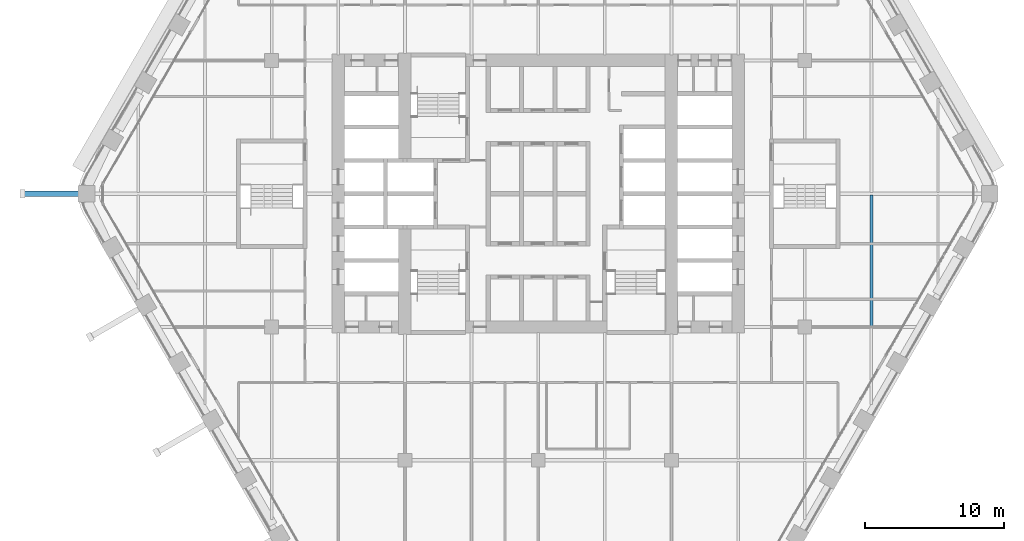
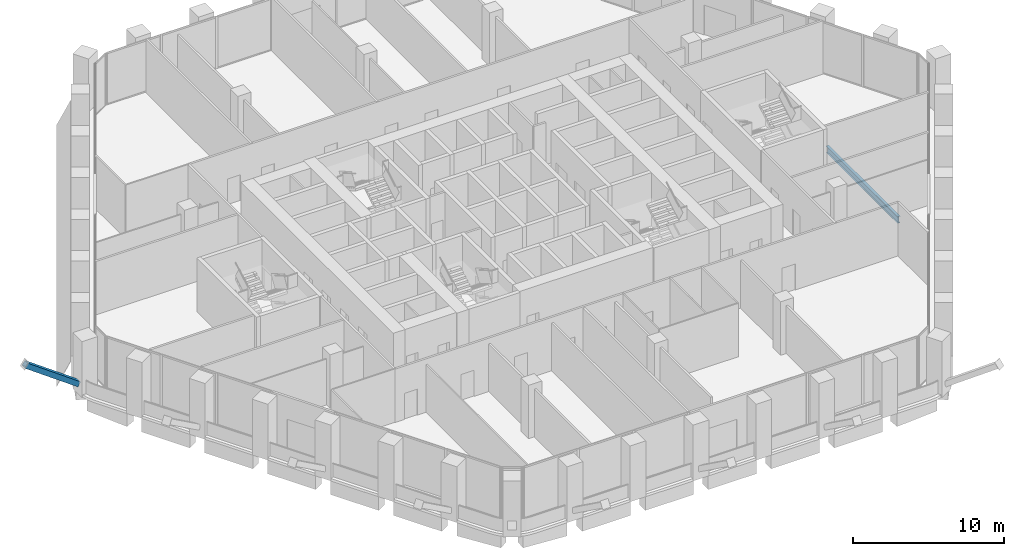
# One storey, part 6 of 26: 1 beam, 1 member.
"""IFC4 building model written with IfcOpenShell, lengths in metres."""

from ifc_helpers import new_model, si_unit, direction, frame, origin, origin_2d, place, context, subcontext, project, spatial, hollow_rectangle, i_section, extrude, material, material_profile, profile_set, type_object, element, save


model = new_model("IFC4")

# Units and contexts
model_context = context("Model", 3, precision=1e-05, world=origin(), true_north=direction((0.0, 1.0)))
body_context = subcontext(model_context, "Body", "Model", "MODEL_VIEW")
ifc_project = project(units=[si_unit("LENGTHUNIT", "METRE"), si_unit("AREAUNIT", "SQUARE_METRE"), si_unit("VOLUMEUNIT", "CUBIC_METRE"), si_unit("PLANEANGLEUNIT", "RADIAN"), si_unit("MASSUNIT", "GRAM", prefix="KILO")], contexts=[model_context])

# Site, building, storey
site_placement = place(None, origin())
site = spatial("IfcSite", under=ifc_project, at=site_placement, CompositionType="ELEMENT")
building_placement = place(site_placement, origin())
building = spatial("IfcBuilding", under=site, at=building_placement, Name="Kolab Exchange Tower", CompositionType="ELEMENT")
storey_placement = place(building_placement, frame((0.0, 0.0, 104.89990234375)))
storey = spatial("IfcBuildingStorey", under=building, at=storey_placement, Name="L20", CompositionType="ELEMENT", Elevation=104.89990234375)

# Beam
ifc_material = material(Name="Steel S355", Category="steel")
ifc_material_profile_1 = material_profile(ifc_material, i_section(OverallWidth=0.208984375, OverallDepth=0.532958984375, WebThickness=0.01025390625, FlangeThickness=0.015625, at=origin_2d()), Name="W530X92")
ifc_profile_set_1 = profile_set([ifc_material_profile_1], Name="Steel S355")
beam_type = type_object("IfcBeamType", Name="FLOOR BEAM W530X92", PredefinedType="BEAM", material=ifc_profile_set_1)
beam_placement = place(storey_placement, frame((24.0, -9.52587890625, -0.46630859375), z_axis=(0.0, 1.0, 0.0), x_axis=(-1.0, 0.0, 0.0)))
element("IfcBeam", 1, at=beam_placement, inside=storey, type_object=beam_type, Name="beam/L20/fr/047", PredefinedType="BEAM", context=body_context, shape_type="SweptSolid", body=[
    extrude(i_section(OverallWidth=0.208984375, OverallDepth=0.532958984375, WebThickness=0.01025390625, FlangeThickness=0.015625, at=origin_2d()), origin(), (0.0, 0.0, 1.0), 9.43896484375),
])

# Member
ifc_material_profile_2 = material_profile(ifc_material, hollow_rectangle(XDim=0.39990234375, YDim=0.39990234375, WallThickness=0.02001953125, at=origin_2d()), Name="HSS400X400X20")
ifc_profile_set_2 = profile_set([ifc_material_profile_2], Name="Steel S355")
member_type = type_object("IfcMemberType", Name="LEDGE STRUT HSS400X400X20", PredefinedType="STRUT", material=ifc_profile_set_2)
member_placement = place(storey_placement, frame((-33.095947265625, 0.0, 0.60009765625), z_axis=(-0.810663726645, 0.0, 0.585512017214), x_axis=(0.0, -1.0, 0.0)))
element("IfcMember", 2, at=member_placement, inside=storey, type_object=member_type, Name="mem/L20/ledge/strut-8", PredefinedType="STRUT", context=body_context, shape_type="SweptSolid", body=[
    extrude(hollow_rectangle(XDim=0.39990234375, YDim=0.39990234375, WallThickness=0.02001953125, at=origin_2d()), origin(), (0.0, 0.0, 1.0), 4.983642578125),
])

save(model, "model.ifc")
